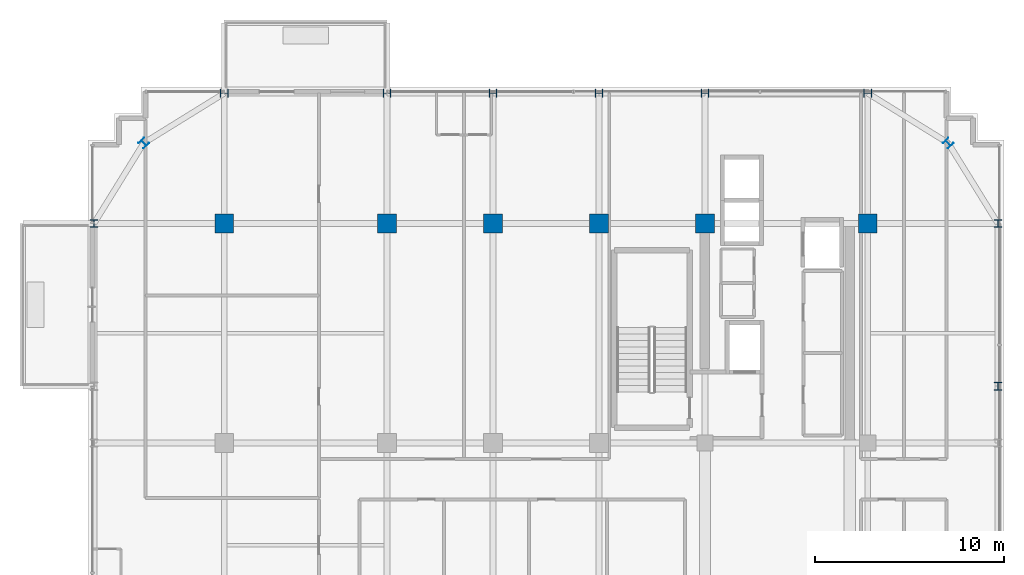
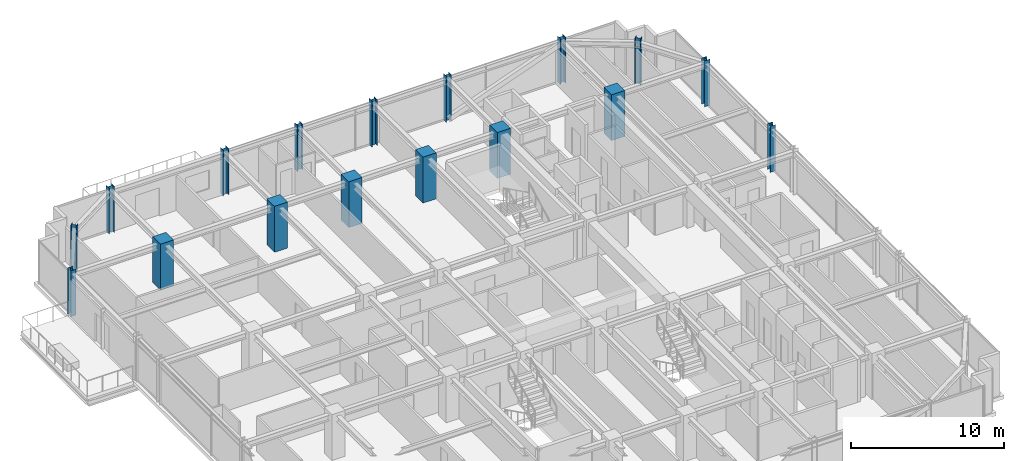
# One storey, part 3 of 36: 17 columns.
"""IFC4 building model written with IfcOpenShell, lengths in metres."""

import ifcopenshell
import ifcopenshell.guid

model = None  # the IFC model being written
_history = None  # IfcOwnerHistory: only IFC2X3 demands one
_inside = {}  # id of a spatial element -> (the spatial element, [elements in it])
_under = {}  # id of a project, library or spatial element -> (it, [spatial elements below it])
_declared = {}  # id of a project -> (the project, [libraries it declares])
_typed = {}  # id of a type object -> (the type object, [elements of that type])
_made_of = {}  # id of a material, layer set ... -> (it, [elements and type objects made of it])


def new_model(schema):
    """Start an empty IFC model of exactly this schema.

    Asked for "IFC4X3", IfcOpenShell would pick the latest addendum, in which some entities
    have other attributes; the version numbers below select the first issue.
    IFC2X3 requires an IfcOwnerHistory on every rooted entity: one is made here for all.
    """
    global model, _history
    if schema == "IFC4X3":
        model = ifcopenshell.file(schema_version=(4, 3, 0, 0))
    else:
        model = ifcopenshell.file(schema=schema)
    _inside.clear()
    _under.clear()
    _declared.clear()
    _typed.clear()
    _made_of.clear()
    _history = None
    if model.schema == "IFC2X3":
        org = make("IfcOrganization", Name="unknown")
        user = make(
            "IfcPersonAndOrganization",
            ThePerson=make("IfcPerson", FamilyName="unknown"),
            TheOrganization=org,
        )
        app = make(
            "IfcApplication",
            ApplicationDeveloper=org,
            Version="unknown",
            ApplicationFullName="unknown",
            ApplicationIdentifier="unknown",
        )
        _history = make(
            "IfcOwnerHistory",
            OwningUser=user,
            OwningApplication=app,
            ChangeAction="ADDED",
            CreationDate=0,
        )
    return model


def make(cls, **values):
    """One entity of the class cls with the attributes given. An attribute that is None is left unset."""
    return model.create_entity(
        cls, **{name: value for name, value in values.items() if value is not None}
    )


def rooted(cls, **values):
    """An entity with a GlobalId (a new one), such as an element, a storey or a relation."""
    return make(cls, GlobalId=ifcopenshell.guid.new(), OwnerHistory=_history, **values)


def si_unit(unit_type, name, prefix=None):
    """IfcSIUnit, for example si_unit("LENGTHUNIT", "METRE", prefix="MILLI")."""
    return make("IfcSIUnit", UnitType=unit_type, Prefix=prefix, Name=name)


def assignment(units):
    """IfcUnitAssignment: the units of a project."""
    return None if units is None else make("IfcUnitAssignment", Units=units)


def point(xyz):
    """IfcCartesianPoint."""
    return None if xyz is None else make("IfcCartesianPoint", Coordinates=xyz)


def direction(xyz):
    """IfcDirection."""
    return None if xyz is None else make("IfcDirection", DirectionRatios=xyz)


def frame(location, z_axis=None, x_axis=None):
    """IfcAxis2Placement3D, a coordinate frame: its origin and axes. An axis left out is left unset."""
    return make(
        "IfcAxis2Placement3D",
        Location=point(location),
        Axis=direction(z_axis),
        RefDirection=direction(x_axis),
    )


def frame_2d(location, x_axis=None):
    """IfcAxis2Placement2D, a coordinate frame in the plane: its origin and x axis."""
    return make(
        "IfcAxis2Placement2D", Location=point(location), RefDirection=direction(x_axis)
    )


def origin():
    """The frame at (0, 0, 0) with its axes left unset."""
    return frame((0.0, 0.0, 0.0))


def origin_2d():
    """The frame at (0, 0) in the plane with its x axis left unset."""
    return frame_2d((0.0, 0.0))


def place(relative_to, where):
    """IfcLocalPlacement: puts the frame where relative to a parent placement (None: the world)."""
    return make(
        "IfcLocalPlacement", PlacementRelTo=relative_to, RelativePlacement=where
    )


def context(
    kind, dimensions, precision=None, world=None, true_north=None, identifier=None
):
    """IfcGeometricRepresentationContext, for example the 3D "Model" context."""
    return make(
        "IfcGeometricRepresentationContext",
        ContextIdentifier=identifier,
        ContextType=kind,
        CoordinateSpaceDimension=dimensions,
        Precision=precision,
        WorldCoordinateSystem=world,
        TrueNorth=true_north,
    )


def subcontext(parent, identifier, kind, view, scale=None):
    """IfcGeometricRepresentationSubContext, for example "Body" below "Model"."""
    return make(
        "IfcGeometricRepresentationSubContext",
        ContextIdentifier=identifier,
        ContextType=kind,
        ParentContext=parent,
        TargetScale=scale,
        TargetView=view,
    )


def project(units=None, contexts=None):
    """IfcProject with its units and contexts."""
    return rooted(
        "IfcProject",
        Name="project",
        RepresentationContexts=contexts,
        UnitsInContext=assignment(units),
    )


def spatial(cls, under=None, at=None, **own):
    """A site, building, storey or space (cls), placed at a placement, below another one or the project."""
    s = rooted(cls, ObjectPlacement=at, **own)
    if under is not None:
        _under.setdefault(under.id(), (under, []))[1].append(s)
    return s


def profile(cls, at=None, kind="AREA", **sizes):
    """A parametric profile (cls). Its sizes go by their IFC names, for example OverallWidth=200.0."""
    return make(cls, ProfileType=kind, Position=at, **sizes)


def rectangle(**sizes):
    """IfcRectangleProfileDef."""
    return profile("IfcRectangleProfileDef", **sizes)


def i_section(**sizes):
    """IfcIShapeProfileDef."""
    return profile("IfcIShapeProfileDef", **sizes)


def extrude(swept, where, along, depth):
    """IfcExtrudedAreaSolid: the profile swept, set in the frame where, extruded along a direction by depth."""
    return make(
        "IfcExtrudedAreaSolid",
        SweptArea=swept,
        Position=where,
        ExtrudedDirection=direction(along),
        Depth=depth,
    )


def shape(context_of_items, identifier, shape_type, items):
    """IfcShapeRepresentation: the items that make up one representation, for example the "Body"."""
    return make(
        "IfcShapeRepresentation",
        ContextOfItems=context_of_items,
        RepresentationIdentifier=identifier,
        RepresentationType=shape_type,
        Items=items,
    )


def source(mapping_origin, context_of_items, identifier, shape_type, items):
    """IfcRepresentationMap: a shape defined once, which mapped items show again and again."""
    return make(
        "IfcRepresentationMap",
        MappingOrigin=mapping_origin,
        MappedRepresentation=shape(context_of_items, identifier, shape_type, items),
    )


def transform(
    local_origin,
    x_axis=None,
    y_axis=None,
    z_axis=None,
    scale=None,
    scale2=None,
    scale3=None,
    uniform=True,
):
    """IfcCartesianTransformationOperator3D, or its non-uniform kind. x_axis, y_axis, z_axis: its Axis1, 2, 3."""
    if uniform:
        return make(
            "IfcCartesianTransformationOperator3D",
            Axis1=direction(x_axis),
            Axis2=direction(y_axis),
            LocalOrigin=point(local_origin),
            Scale=scale,
            Axis3=direction(z_axis),
        )
    return make(
        "IfcCartesianTransformationOperator3DnonUniform",
        Axis1=direction(x_axis),
        Axis2=direction(y_axis),
        LocalOrigin=point(local_origin),
        Scale=scale,
        Axis3=direction(z_axis),
        Scale2=scale2,
        Scale3=scale3,
    )


def mapped(mapping_source, mapping_target):
    """IfcMappedItem: shows the shape of a source again, moved by a transform."""
    return make(
        "IfcMappedItem", MappingSource=mapping_source, MappingTarget=mapping_target
    )


def material(Name=None, Category=None):
    """IfcMaterial."""
    return make("IfcMaterial", Name=Name, Category=Category)


def material_profile(
    of_material, cross_section, Name=None, Category=None, Priority=None
):
    """IfcMaterialProfile: a cross section and its material."""
    return make(
        "IfcMaterialProfile",
        Name=Name,
        Material=of_material,
        Profile=cross_section,
        Priority=Priority,
        Category=Category,
    )


def profile_set(profiles, Name=None, composite=None):
    """IfcMaterialProfileSet."""
    return make(
        "IfcMaterialProfileSet",
        Name=Name,
        MaterialProfiles=profiles,
        CompositeProfile=composite,
    )


def made_of(thing, what):
    """Note that an element or type object is made of a material, layer set ...; save() writes the relation."""
    if what is not None:
        _made_of.setdefault(what.id(), (what, []))[1].append(thing)
    return thing


def type_object(cls, material=None, **own):
    """A type object (cls), such as IfcWallType, which elements share."""
    return made_of(rooted(cls, **own), material)


def element(
    cls,
    number,
    at=None,
    inside=None,
    cuts=None,
    type_object=None,
    material=None,
    context=None,
    identifier="Body",
    shape_type=None,
    held_by="IfcProductDefinitionShape",
    body=None,
    shapes=None,
    **own,
):
    """One element of the class cls, such as IfcWall. Its Tag is "e" and its number.

    at: its placement. inside: the storey or other place that contains it. cuts: it is an
    opening in that element (IfcRelVoidsElement). A single representation is given by context,
    identifier, shape_type and body (its items); several are given by shapes. held_by: the class
    of the entity that holds the representations. save() writes the other relations.
    """
    e = rooted(cls, Tag="e%d" % number, ObjectPlacement=at, **own)
    if body is not None:
        shapes = [shape(context, identifier, shape_type, body)]
    if shapes is not None:
        e.Representation = make(held_by, Representations=shapes)
    if inside is not None:
        _inside.setdefault(inside.id(), (inside, []))[1].append(e)
    if cuts is not None:
        rooted(
            "IfcRelVoidsElement", RelatingBuildingElement=cuts, RelatedOpeningElement=e
        )
    if type_object is not None:
        _typed.setdefault(type_object.id(), (type_object, []))[1].append(e)
    return made_of(e, material)


def aggregate(whole, parts):
    """IfcRelAggregates: a whole, such as a stair, and the parts it consists of."""
    return rooted("IfcRelAggregates", RelatingObject=whole, RelatedObjects=parts)


def save(model, path):
    """Write the relations noted so far, then the file.

    IfcRelAggregates (storeys below a building ...), IfcRelContainedInSpatialStructure (elements
    in a storey), IfcRelDefinesByType, IfcRelAssociatesMaterial and IfcRelDeclares: one each for
    every whole, place, type object, material and project.
    """
    for whole, parts in _under.values():
        aggregate(whole, parts)
    for where, things in _inside.values():
        rooted(
            "IfcRelContainedInSpatialStructure",
            RelatedElements=things,
            RelatingStructure=where,
        )
    for kind, things in _typed.values():
        rooted("IfcRelDefinesByType", RelatedObjects=things, RelatingType=kind)
    for what, things in _made_of.values():
        rooted("IfcRelAssociatesMaterial", RelatedObjects=things, RelatingMaterial=what)
    for by, libraries in _declared.values():
        rooted("IfcRelDeclares", RelatingContext=by, RelatedDefinitions=libraries)
    model.write(path)


model = new_model("IFC4")

# Units and contexts
model_context = context("Model", 3, precision=1e-05, world=origin(), true_north=direction((0.0, 1.0)))
body_context = subcontext(model_context, "Body", "Model", "MODEL_VIEW")
ifc_project = project(units=[si_unit("LENGTHUNIT", "METRE"), si_unit("AREAUNIT", "SQUARE_METRE"), si_unit("VOLUMEUNIT", "CUBIC_METRE"), si_unit("PLANEANGLEUNIT", "RADIAN"), si_unit("MASSUNIT", "GRAM", prefix="KILO")], contexts=[model_context])

# Site, building, storey
site_placement = place(None, origin())
site = spatial("IfcSite", under=ifc_project, at=site_placement, CompositionType="ELEMENT")
building_placement = place(site_placement, origin())
building = spatial("IfcBuilding", under=site, at=building_placement, Name="Nahalor Promenade Grand Hotel", CompositionType="ELEMENT")
storey_placement = place(building_placement, frame((0.0, 0.0, 241.89990234375)))
storey = spatial("IfcBuildingStorey", under=building, at=storey_placement, Name="L62", CompositionType="ELEMENT", Elevation=241.89990234375)

# Columns
ifc_material_1 = material(Name="Concrete B-60 (C50/60)", Category="concrete")
ifc_material_profile_1 = material_profile(ifc_material_1, rectangle(XDim=1.0, YDim=1.0, at=origin_2d()), Name="RC 1000x1000")
ifc_profile_set_1 = profile_set([ifc_material_profile_1], Name="Concrete B-60 (C50/60)")
column_type_1 = type_object("IfcColumnType", Name="Col-RC-1000", PredefinedType="COLUMN", material=ifc_profile_set_1)
shared_shape_1 = source(origin(), body_context, "Body", "SweptSolid", [
    extrude(rectangle(XDim=1.0, YDim=1.0, at=origin_2d()), origin(), (0.0, 0.0, 1.0), 3.655029296875),
])
for number, where, z_axis, x_axis, name in (
    (1, (-17.0, 17.0, 0.0), (0.0, 0.0, 1.0), (1.0, 0.0, 0.0), "COL-L62-I03"),
    (2, (-8.39990234375, 17.0, 0.0), (0.0, 0.0, 1.0), (1.0, 0.0, 0.0), "COL-L62-I13"),
    (3, (-2.800048828125, 17.0, 0.0), (0.0, 0.0, 1.0), (1.0, 0.0, 0.0), "COL-L62-I23"),
    (4, (2.800048828125, 17.0, 0.0), (0.0, 0.0, 1.0), (1.0, 0.0, 0.0), "COL-L62-I33"),
    (5, (8.39990234375, 17.0, 0.0), (0.0, 0.0, 1.0), (1.0, 0.0, 0.0), "COL-L62-I43"),
    (6, (17.0, 17.0, 0.0), (0.0, 0.0, 1.0), (1.0, 0.0, 0.0), "COL-L62-I53"),
):
    element("IfcColumn", number, at=place(storey_placement, frame(where, z_axis=z_axis, x_axis=x_axis)), inside=storey, type_object=column_type_1, Name=name, PredefinedType="COLUMN", context=body_context, shape_type="MappedRepresentation", body=[
        mapped(shared_shape_1, transform((0.0, 0.0, 0.0), scale=1.0)),
    ])
ifc_material_2 = material(Name="Steel S355JR", Category="steel")
ifc_material_profile_2 = material_profile(ifc_material_2, i_section(OverallWidth=0.401, OverallDepth=0.406, WebThickness=0.0161, FlangeThickness=0.025, at=origin_2d()), Name="HD 400x314")
ifc_profile_set_2 = profile_set([ifc_material_profile_2], Name="Steel S355JR")
column_type_2 = type_object("IfcColumnType", Name="Col-Steel-HD314", PredefinedType="COLUMN", material=ifc_profile_set_2)
shared_shape_2 = source(origin(), body_context, "Body", "SweptSolid", [
    extrude(i_section(OverallWidth=0.401, OverallDepth=0.406, WebThickness=0.0161, FlangeThickness=0.025, at=origin_2d()), origin(), (0.0, 0.0, 1.0), 3.655029296875),
])
for number, where, z_axis, x_axis, name in (
    (7, (23.8798828125, 8.39990234375, 0.0), (0.0, 0.0, 1.0), (1.0, 0.0, 0.0), "COL-L62-PW-E4"),
    (8, (-23.8798828125, 17.0, 0.0), (0.0, 0.0, 1.0), (1.0, 0.0, 0.0), "COL-L62-PW-W5"),
    (9, (23.8798828125, 17.0, 0.0), (0.0, 0.0, 1.0), (1.0, 0.0, 0.0), "COL-L62-PW-E5"),
    (10, (-17.0, 23.8798828125, 0.0), (0.0, 0.0, 1.0), (0.0, 1.0, 0.0), "COL-L62-PN-N0"),
    (11, (-8.39990234375, 23.8798828125, 0.0), (0.0, 0.0, 1.0), (0.0, 1.0, 0.0), "COL-L62-PN-N1"),
    (12, (-2.800048828125, 23.8798828125, 0.0), (0.0, 0.0, 1.0), (0.0, 1.0, 0.0), "COL-L62-PN-N2"),
    (13, (2.800048828125, 23.8798828125, 0.0), (0.0, 0.0, 1.0), (0.0, 1.0, 0.0), "COL-L62-PN-N3"),
    (14, (8.39990234375, 23.8798828125, 0.0), (0.0, 0.0, 1.0), (0.0, 1.0, 0.0), "COL-L62-PN-N4"),
    (15, (17.0, 23.8798828125, 0.0), (0.0, 0.0, 1.0), (0.0, 1.0, 0.0), "COL-L62-PN-N5"),
    (16, (-21.25, 21.25, 0.0), (0.0, 0.0, 1.0), (0.707106781187, 0.707106781187, 0.0), "COL-L62-CRN-NW"),
    (17, (21.25, 21.25, 0.0), (0.0, 0.0, 1.0), (0.707106781187, 0.707106781187, 0.0), "COL-L62-CRN-NE"),
):
    element("IfcColumn", number, at=place(storey_placement, frame(where, z_axis=z_axis, x_axis=x_axis)), inside=storey, type_object=column_type_2, Name=name, PredefinedType="COLUMN", context=body_context, shape_type="MappedRepresentation", body=[
        mapped(shared_shape_2, transform((0.0, 0.0, 0.0), scale=1.0)),
    ])

save(model, "model.ifc")
